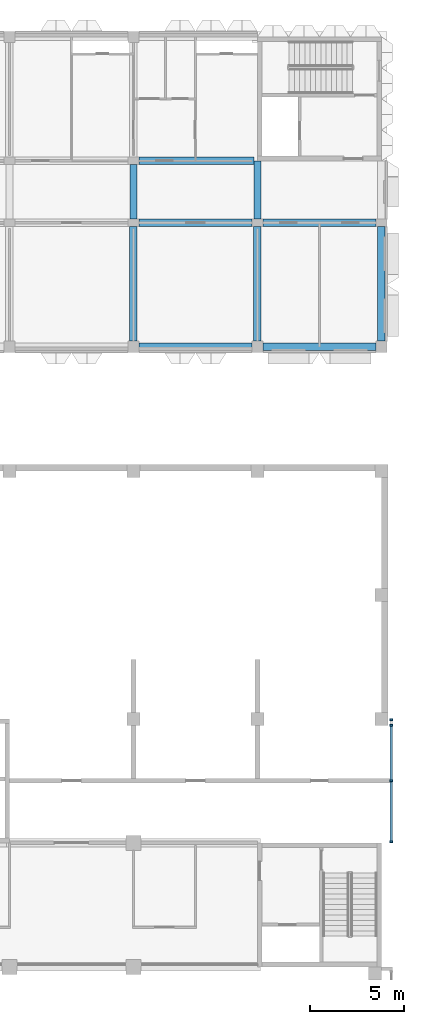
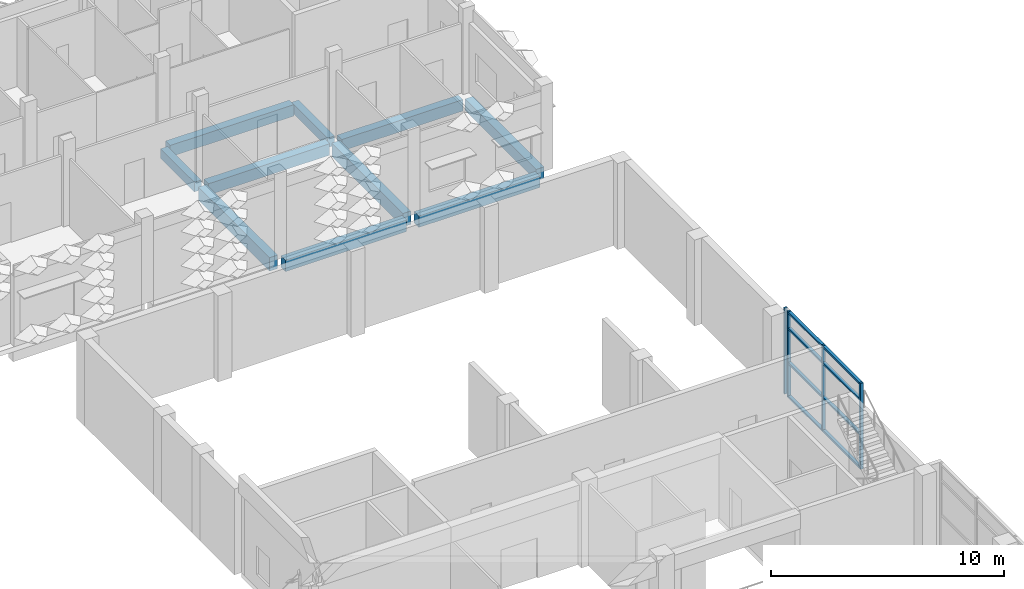
# One storey, part 19 of 87: 12 members, 10 beams, 1 element without a shape of its own.
"""IFC4 building model written with IfcOpenShell, lengths in metres."""

from ifc_helpers import new_model, si_unit, direction, frame, origin, origin_2d, place, context, subcontext, project, spatial, rectangle, extrude, material, material_profile, profile_set, type_object, element, aggregate, save


model = new_model("IFC4")

# Units and contexts
model_context = context("Model", 3, precision=1e-05, world=origin(), true_north=direction((0.0, 1.0)))
body_context = subcontext(model_context, "Body", "Model", "MODEL_VIEW")
ifc_project = project(units=[si_unit("LENGTHUNIT", "METRE"), si_unit("AREAUNIT", "SQUARE_METRE"), si_unit("VOLUMEUNIT", "CUBIC_METRE"), si_unit("PLANEANGLEUNIT", "RADIAN"), si_unit("MASSUNIT", "GRAM", prefix="KILO")], contexts=[model_context])

# Site, building, storey
site_placement = place(None, origin())
site = spatial("IfcSite", under=ifc_project, at=site_placement, CompositionType="ELEMENT")
building_placement = place(site_placement, origin())
building = spatial("IfcBuilding", under=site, at=building_placement, Name="Lantern Court Research Institute", CompositionType="ELEMENT")
storey_placement = place(building_placement, frame((0.0, 0.0, 5.39990234375)))
storey = spatial("IfcBuildingStorey", under=building, at=storey_placement, Name="L01", CompositionType="ELEMENT", Elevation=5.39990234375)

# Curtain wall, members
ifc_material_1 = material(Name="Aluminium alloy 6063-T6", Category="aluminium")
curtain_wall_type = type_object("IfcCurtainWallType", Name="Curtain wall 6600 x 4500 x 150 aluminium frame", PredefinedType="NOTDEFINED", material=ifc_material_1)
curtain_wall_placement = place(storey_placement, origin())
curtain_wall = element("IfcCurtainWall", 1, at=curtain_wall_placement, inside=storey, type_object=curtain_wall_type, Name="Curtain wall CW016", PredefinedType="NOTDEFINED")
ifc_material_2 = material(Name="Aluminium alloy 6063-T6", Category="aluminium")
ifc_material_profile_1 = material_profile(ifc_material_2, rectangle(XDim=0.14990234375, YDim=0.10009765625, at=origin_2d()), Name="Mullion 150 x 100")
ifc_profile_set_1 = profile_set([ifc_material_profile_1], Name="Aluminium alloy 6063-T6")
member_type_1 = type_object("IfcMemberType", Name="Mullion 150 x 100 aluminium", PredefinedType="MULLION", material=ifc_profile_set_1)
member_1_placement = place(storey_placement, frame((79.72509765625, 56.14990234375, 0.0), z_axis=(0.0, 0.0, 1.0), x_axis=(1.0, 0.0, 0.0)))
member_1 = element("IfcMember", 2, at=member_1_placement, type_object=member_type_1, Name="CW016 mullion 1", PredefinedType="MULLION", context=body_context, shape_type="SweptSolid", body=[
    extrude(rectangle(XDim=0.14990234375, YDim=0.10009765625, at=origin_2d()), origin(), (0.0, 0.0, 1.0), 4.5),
])
member_2_placement = place(storey_placement, frame((79.72509765625, 59.39990234375, 0.0), z_axis=(0.0, 0.0, 1.0), x_axis=(1.0, 0.0, 0.0)))
member_2 = element("IfcMember", 3, at=member_2_placement, type_object=member_type_1, Name="CW016 mullion 2", PredefinedType="MULLION", context=body_context, shape_type="SweptSolid", body=[
    extrude(rectangle(XDim=0.14990234375, YDim=0.10009765625, at=origin_2d()), origin(), (0.0, 0.0, 1.0), 4.5),
])
member_3_placement = place(storey_placement, frame((79.72509765625, 62.35009765625, 0.0), z_axis=(0.0, 0.0, 1.0), x_axis=(1.0, 0.0, 0.0)))
member_3 = element("IfcMember", 4, at=member_3_placement, type_object=member_type_1, Name="CW016 mullion 3", PredefinedType="MULLION", context=body_context, shape_type="SweptSolid", body=[
    extrude(rectangle(XDim=0.14990234375, YDim=0.10009765625, at=origin_2d()), origin(), (0.0, 0.0, 1.0), 4.5),
])
member_4_placement = place(storey_placement, frame((79.72509765625, 62.64990234375, 0.0), z_axis=(0.0, 0.0, 1.0), x_axis=(1.0, 0.0, 0.0)))
member_4 = element("IfcMember", 5, at=member_4_placement, type_object=member_type_1, Name="CW016 mullion 4", PredefinedType="MULLION", context=body_context, shape_type="SweptSolid", body=[
    extrude(rectangle(XDim=0.14990234375, YDim=0.10009765625, at=origin_2d()), origin(), (0.0, 0.0, 1.0), 4.5),
])

# Beams
ifc_material_3 = material(Name="Concrete C40/50", Category="concrete")
ifc_material_profile_2 = material_profile(ifc_material_3, rectangle(XDim=0.39990234375, YDim=0.60009765625, at=origin_2d()), Name="RC beam 400 x 600")
ifc_profile_set_2 = profile_set([ifc_material_profile_2], Name="Concrete C40/50")
beam_type_1 = type_object("IfcBeamType", Name="RC beam 400 x 600", PredefinedType="BEAM", material=ifc_profile_set_2)
for number, where, z_axis, x_axis, name in (
    (6, (66.300048828125, 89.10009765625, -0.5498046875), (1.0, 0.0, 0.0), (0.0, 1.0, 0.0), "Beam L01 grid K/11-12"),
    (7, (72.89990234375, 89.10009765625, -0.5498046875), (1.0, 0.0, 0.0), (0.0, 1.0, 0.0), "Beam L01 grid K/12-13"),
):
    element("IfcBeam", number, at=place(storey_placement, frame(where, z_axis=z_axis, x_axis=x_axis)), inside=storey, type_object=beam_type_1, Name=name, PredefinedType="BEAM", context=body_context, shape_type="SweptSolid", body=[
        extrude(rectangle(XDim=0.39990234375, YDim=0.60009765625, at=origin_2d()), origin(), (0.0, 0.0, 1.0), 6.0),
    ])
beam_1_placement = place(storey_placement, frame((66.300048828125, 92.39990234375, -0.5498046875), z_axis=(1.0, 0.0, 0.0), x_axis=(0.0, 1.0, 0.0)))
element("IfcBeam", 8, at=beam_1_placement, inside=storey, type_object=beam_type_1, Name="Beam L01 grid L/11-12", PredefinedType="BEAM", context=body_context, shape_type="SweptSolid", body=[
    extrude(rectangle(XDim=0.39990234375, YDim=0.60009765625, at=origin_2d()), origin(), (0.0, 0.0, 1.0), 6.125),
])
ifc_material_4 = material(Name="Concrete C40/50", Category="concrete")
ifc_material_profile_3 = material_profile(ifc_material_4, rectangle(XDim=0.39990234375, YDim=0.699951171875, at=origin_2d()), Name="RC beam 400 x 700")
ifc_profile_set_3 = profile_set([ifc_material_profile_3], Name="Concrete C40/50")
beam_type_2 = type_object("IfcBeamType", Name="RC beam 400 x 700", PredefinedType="BEAM", material=ifc_profile_set_3)
for number, where, z_axis, x_axis, name in (
    (9, (66.0, 82.800048828125, -0.599853515625), (0.0, 1.0, 0.0), (-1.0, 0.0, 0.0), "Beam L01 grid 11/J-K"),
    (10, (72.60009765625, 82.800048828125, -0.599853515625), (0.0, 1.0, 0.0), (-1.0, 0.0, 0.0), "Beam L01 grid 12/J-K"),
):
    element("IfcBeam", number, at=place(storey_placement, frame(where, z_axis=z_axis, x_axis=x_axis)), inside=storey, type_object=beam_type_2, Name=name, PredefinedType="BEAM", context=body_context, shape_type="SweptSolid", body=[
        extrude(rectangle(XDim=0.39990234375, YDim=0.699951171875, at=origin_2d()), origin(), (0.0, 0.0, 1.0), 6.099853515625),
    ])
ifc_material_5 = material(Name="Concrete C40/50", Category="concrete")
ifc_material_profile_4 = material_profile(ifc_material_5, rectangle(XDim=0.39990234375, YDim=0.60009765625, at=origin_2d()), Name="RC beam 400 x 600")
ifc_profile_set_4 = profile_set([ifc_material_profile_4], Name="Concrete C40/50")
beam_type_3 = type_object("IfcBeamType", Name="RC edge beam 400 x 600", PredefinedType="BEAM", material=ifc_profile_set_4)
beam_2_placement = place(storey_placement, frame((79.199951171875, 82.800048828125, -0.5498046875), z_axis=(0.0, 1.0, 0.0), x_axis=(-1.0, 0.0, 0.0)))
element("IfcBeam", 11, at=beam_2_placement, inside=storey, type_object=beam_type_3, Name="Edge beam L01 grid 13/J-K", PredefinedType="BEAM", context=body_context, shape_type="SweptSolid", body=[
    extrude(rectangle(XDim=0.39990234375, YDim=0.60009765625, at=origin_2d()), origin(), (0.0, 0.0, 1.0), 6.099853515625),
])
for number, where, z_axis, x_axis, name in (
    (12, (66.300048828125, 82.5, -0.5498046875), (1.0, 0.0, 0.0), (0.0, 1.0, 0.0), "Edge beam L01 grid J/11-12"),
    (13, (72.89990234375, 82.5, -0.5498046875), (1.0, 0.0, 0.0), (0.0, 1.0, 0.0), "Edge beam L01 grid J/12-13"),
):
    element("IfcBeam", number, at=place(storey_placement, frame(where, z_axis=z_axis, x_axis=x_axis)), inside=storey, type_object=beam_type_3, Name=name, PredefinedType="BEAM", context=body_context, shape_type="SweptSolid", body=[
        extrude(rectangle(XDim=0.39990234375, YDim=0.60009765625, at=origin_2d()), origin(), (0.0, 0.0, 1.0), 6.0),
    ])
ifc_material_6 = material(Name="Concrete C40/50", Category="concrete")
ifc_material_profile_5 = material_profile(ifc_material_6, rectangle(XDim=0.35009765625, YDim=0.5, at=origin_2d()), Name="RC beam 350 x 500")
ifc_profile_set_5 = profile_set([ifc_material_profile_5], Name="Concrete C40/50")
beam_type_4 = type_object("IfcBeamType", Name="RC spine beam 350 x 500", PredefinedType="BEAM", material=ifc_profile_set_5)
beam_3_placement = place(storey_placement, frame((66.0, 89.300048828125, -0.5), z_axis=(0.0, 1.0, 0.0), x_axis=(-1.0, 0.0, 0.0)))
element("IfcBeam", 14, at=beam_3_placement, inside=storey, type_object=beam_type_4, Name="Beam L01 grid 11/K-L", PredefinedType="BEAM", context=body_context, shape_type="SweptSolid", body=[
    extrude(rectangle(XDim=0.35009765625, YDim=0.5, at=origin_2d()), origin(), (0.0, 0.0, 1.0), 2.89990234375),
])
beam_4_placement = place(storey_placement, frame((72.60009765625, 89.300048828125, -0.5), z_axis=(0.0, 1.0, 0.0), x_axis=(-1.0, 0.0, 0.0)))
element("IfcBeam", 15, at=beam_4_placement, inside=storey, type_object=beam_type_4, Name="Beam L01 grid 12/K-L", PredefinedType="BEAM", context=body_context, shape_type="SweptSolid", body=[
    extrude(rectangle(XDim=0.35009765625, YDim=0.5, at=origin_2d()), origin(), (0.0, 0.0, 1.0), 3.099853515625),
])

# Member
ifc_material_7 = material(Name="Aluminium alloy 6063-T6", Category="aluminium")
ifc_material_profile_6 = material_profile(ifc_material_7, rectangle(XDim=0.14990234375, YDim=0.10009765625, at=origin_2d()), Name="Transom 150 x 100")
ifc_profile_set_6 = profile_set([ifc_material_profile_6], Name="Aluminium alloy 6063-T6")
member_type_2 = type_object("IfcMemberType", Name="Transom 150 x 100 aluminium", PredefinedType="USERDEFINED", material=ifc_profile_set_6)
member_5_placement = place(storey_placement, frame((79.72509765625, 59.35009765625, 0.050048828125), z_axis=(0.0, -1.0, 0.0), x_axis=(1.0, 0.0, 0.0)))
member_5 = element("IfcMember", 16, at=member_5_placement, type_object=member_type_2, Name="CW016 transom 1.1", ObjectType="TRANSOM", PredefinedType="USERDEFINED", context=body_context, shape_type="SweptSolid", body=[
    extrude(rectangle(XDim=0.14990234375, YDim=0.10009765625, at=origin_2d()), origin(), (0.0, 0.0, 1.0), 3.150146484375),
])

member_6_placement = place(storey_placement, frame((79.72509765625, 59.35009765625, 1.800048828125), z_axis=(0.0, -1.0, 0.0), x_axis=(1.0, 0.0, 0.0)))
member_6 = element("IfcMember", 17, at=member_6_placement, type_object=member_type_2, Name="CW016 transom 1.2", ObjectType="TRANSOM", PredefinedType="USERDEFINED", context=body_context, shape_type="SweptSolid", body=[
    extrude(rectangle(XDim=0.14990234375, YDim=0.10009765625, at=origin_2d()), origin(), (0.0, 0.0, 1.0), 3.150146484375),
])

member_7_placement = place(storey_placement, frame((79.72509765625, 59.35009765625, 3.60009765625), z_axis=(0.0, -1.0, 0.0), x_axis=(1.0, 0.0, 0.0)))
member_7 = element("IfcMember", 18, at=member_7_placement, type_object=member_type_2, Name="CW016 transom 1.3", ObjectType="TRANSOM", PredefinedType="USERDEFINED", context=body_context, shape_type="SweptSolid", body=[
    extrude(rectangle(XDim=0.14990234375, YDim=0.10009765625, at=origin_2d()), origin(), (0.0, 0.0, 1.0), 3.150146484375),
])

member_8_placement = place(storey_placement, frame((79.72509765625, 59.35009765625, 4.4501953125), z_axis=(0.0, -1.0, 0.0), x_axis=(1.0, 0.0, 0.0)))
member_8 = element("IfcMember", 19, at=member_8_placement, type_object=member_type_2, Name="CW016 transom 1.4", ObjectType="TRANSOM", PredefinedType="USERDEFINED", context=body_context, shape_type="SweptSolid", body=[
    extrude(rectangle(XDim=0.14990234375, YDim=0.10009765625, at=origin_2d()), origin(), (0.0, 0.0, 1.0), 3.150146484375),
])

member_9_placement = place(storey_placement, frame((79.72509765625, 62.300048828125, 0.050048828125), z_axis=(0.0, -1.0, 0.0), x_axis=(1.0, 0.0, 0.0)))
member_9 = element("IfcMember", 20, at=member_9_placement, type_object=member_type_2, Name="CW016 transom 2.1", ObjectType="TRANSOM", PredefinedType="USERDEFINED", context=body_context, shape_type="SweptSolid", body=[
    extrude(rectangle(XDim=0.14990234375, YDim=0.10009765625, at=origin_2d()), origin(), (0.0, 0.0, 1.0), 2.85009765625),
])

member_10_placement = place(storey_placement, frame((79.72509765625, 62.300048828125, 1.800048828125), z_axis=(0.0, -1.0, 0.0), x_axis=(1.0, 0.0, 0.0)))
member_10 = element("IfcMember", 21, at=member_10_placement, type_object=member_type_2, Name="CW016 transom 2.2", ObjectType="TRANSOM", PredefinedType="USERDEFINED", context=body_context, shape_type="SweptSolid", body=[
    extrude(rectangle(XDim=0.14990234375, YDim=0.10009765625, at=origin_2d()), origin(), (0.0, 0.0, 1.0), 2.85009765625),
])

member_11_placement = place(storey_placement, frame((79.72509765625, 62.300048828125, 3.60009765625), z_axis=(0.0, -1.0, 0.0), x_axis=(1.0, 0.0, 0.0)))
member_11 = element("IfcMember", 22, at=member_11_placement, type_object=member_type_2, Name="CW016 transom 2.3", ObjectType="TRANSOM", PredefinedType="USERDEFINED", context=body_context, shape_type="SweptSolid", body=[
    extrude(rectangle(XDim=0.14990234375, YDim=0.10009765625, at=origin_2d()), origin(), (0.0, 0.0, 1.0), 2.85009765625),
])

member_12_placement = place(storey_placement, frame((79.72509765625, 62.300048828125, 4.4501953125), z_axis=(0.0, -1.0, 0.0), x_axis=(1.0, 0.0, 0.0)))
member_12 = element("IfcMember", 23, at=member_12_placement, type_object=member_type_2, Name="CW016 transom 2.4", ObjectType="TRANSOM", PredefinedType="USERDEFINED", context=body_context, shape_type="SweptSolid", body=[
    extrude(rectangle(XDim=0.14990234375, YDim=0.10009765625, at=origin_2d()), origin(), (0.0, 0.0, 1.0), 2.85009765625),
])

aggregate(curtain_wall, [member_1, member_2, member_3, member_4, member_5, member_6, member_7, member_8, member_9, member_10, member_11, member_12])

save(model, "model.ifc")
